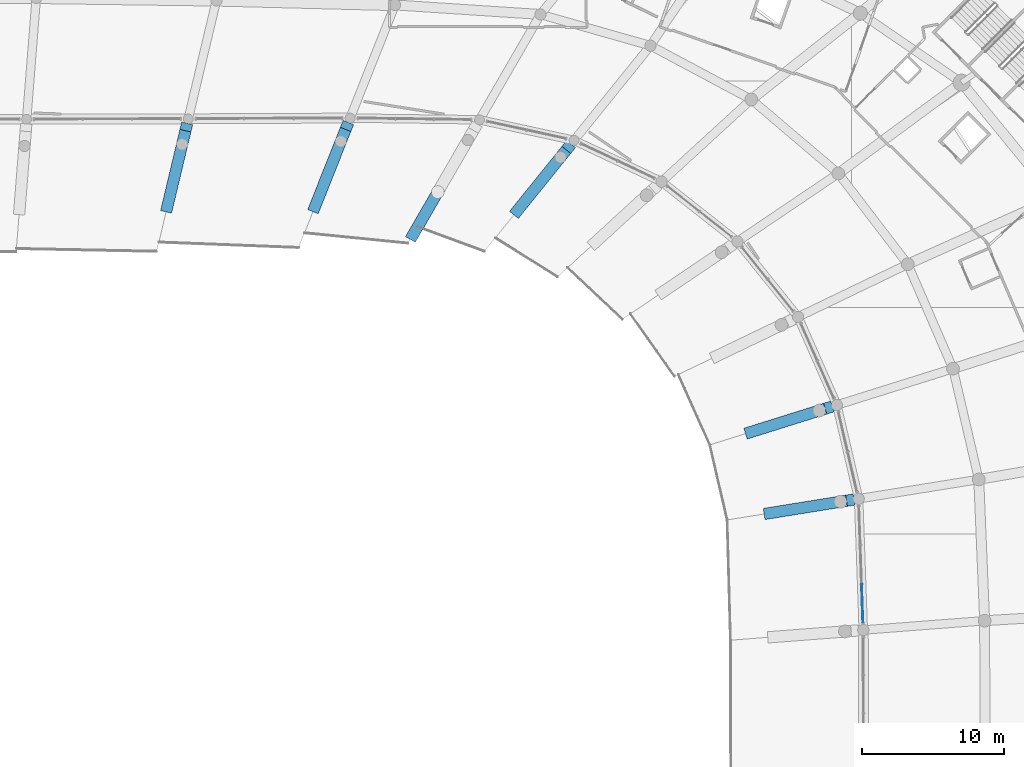
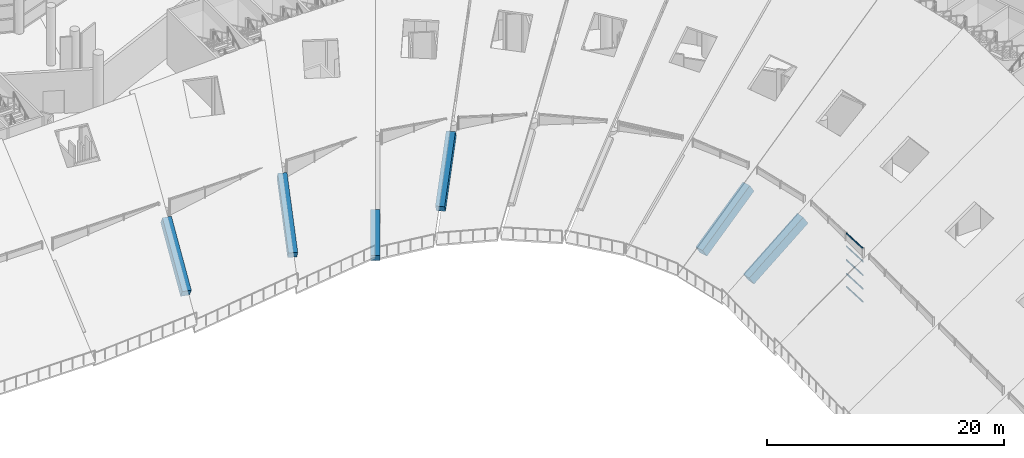
# One storey, part 77 of 249: 6 beams, 5 members, 1 element without a shape of its own.
"""IFC4 building model written with IfcOpenShell, lengths in metres."""

from ifc_helpers import new_model, si_unit, direction, frame, origin, origin_2d, place, context, subcontext, project, spatial, rectangle, extrude, material, layer, layer_set, material_profile, profile_set, type_object, element, aggregate, save


model = new_model("IFC4")

# Units and contexts
model_context = context("Model", 3, precision=1e-05, world=origin(), true_north=direction((0.0, 1.0)))
body_context = subcontext(model_context, "Body", "Model", "MODEL_VIEW")
ifc_project = project(units=[si_unit("LENGTHUNIT", "METRE"), si_unit("AREAUNIT", "SQUARE_METRE"), si_unit("VOLUMEUNIT", "CUBIC_METRE"), si_unit("PLANEANGLEUNIT", "RADIAN"), si_unit("MASSUNIT", "GRAM", prefix="KILO")], contexts=[model_context])

# Site, building, storey
site_placement = place(None, origin())
site = spatial("IfcSite", under=ifc_project, at=site_placement, CompositionType="ELEMENT")
building_placement = place(site_placement, origin())
building = spatial("IfcBuilding", under=site, at=building_placement, Name="Meseta Stadium", CompositionType="ELEMENT")
storey_placement = place(building_placement, frame((0.0, 0.0, 12.0)))
storey = spatial("IfcBuildingStorey", under=building, at=storey_placement, Name="L02", CompositionType="ELEMENT", Elevation=12.0)

# Curtain wall, members
ifc_material_1 = material(Name="Aluminium", Category="aluminium")
ifc_layer = layer(ifc_material_1, 0.199951171875)
ifc_layer_set = layer_set([ifc_layer], Name="Suite glazing curtain wall")
curtain_wall_type = type_object("IfcCurtainWallType", Name="Suite glazing curtain wall", PredefinedType="NOTDEFINED", material=ifc_layer_set)
curtain_wall_placement = place(storey_placement, origin())
curtain_wall = element("IfcCurtainWall", 1, at=curtain_wall_placement, inside=storey, type_object=curtain_wall_type, Name="Suite glazing bay 08", PredefinedType="NOTDEFINED")
ifc_material_2 = material(Name="Aluminium", Category="aluminium")
ifc_material_profile_1 = material_profile(ifc_material_2, rectangle(XDim=0.06005859375, YDim=0.14990234375, at=origin_2d()), Name="CW 60x150")
ifc_profile_set_1 = profile_set([ifc_material_profile_1], Name="Aluminium")
member_type = type_object("IfcMemberType", Name="CW transom 60x150", PredefinedType="USERDEFINED", material=ifc_profile_set_1)
member_1_placement = place(storey_placement, frame((64.810791015625, 41.742919921875, 0.074951171875), z_axis=(-0.035392960757, 0.999373472896, 0.0), x_axis=(-0.999373472896, -0.035392960757, 0.0)))
member_1 = element("IfcMember", 2, at=member_1_placement, type_object=member_type, Name="CWS transom 1.1", ObjectType="TRANSOM", PredefinedType="USERDEFINED", context=body_context, shape_type="SweptSolid", body=[
    extrude(rectangle(XDim=0.06005859375, YDim=0.14990234375, at=origin_2d()), origin(), (0.0, 0.0, 1.0), 2.683349609375),
])
member_2_placement = place(storey_placement, frame((64.810791015625, 41.742919921875, 1.41259765625), z_axis=(-0.035392960757, 0.999373472896, 0.0), x_axis=(-0.999373472896, -0.035392960757, 0.0)))
member_2 = element("IfcMember", 3, at=member_2_placement, type_object=member_type, Name="CWS transom 1.2", ObjectType="TRANSOM", PredefinedType="USERDEFINED", context=body_context, shape_type="SweptSolid", body=[
    extrude(rectangle(XDim=0.06005859375, YDim=0.14990234375, at=origin_2d()), origin(), (0.0, 0.0, 1.0), 2.683349609375),
])
member_3_placement = place(storey_placement, frame((64.810791015625, 41.742919921875, 2.824951171875), z_axis=(-0.035392960757, 0.999373472896, 0.0), x_axis=(-0.999373472896, -0.035392960757, 0.0)))
member_3 = element("IfcMember", 4, at=member_3_placement, type_object=member_type, Name="CWS transom 1.3", ObjectType="TRANSOM", PredefinedType="USERDEFINED", context=body_context, shape_type="SweptSolid", body=[
    extrude(rectangle(XDim=0.06005859375, YDim=0.14990234375, at=origin_2d()), origin(), (0.0, 0.0, 1.0), 2.683349609375),
])
member_4_placement = place(storey_placement, frame((64.810791015625, 41.742919921875, 4.237548828125), z_axis=(-0.035392960757, 0.999373472896, 0.0), x_axis=(-0.999373472896, -0.035392960757, 0.0)))
member_4 = element("IfcMember", 5, at=member_4_placement, type_object=member_type, Name="CWS transom 1.4", ObjectType="TRANSOM", PredefinedType="USERDEFINED", context=body_context, shape_type="SweptSolid", body=[
    extrude(rectangle(XDim=0.06005859375, YDim=0.14990234375, at=origin_2d()), origin(), (0.0, 0.0, 1.0), 2.683349609375),
])
member_5_placement = place(storey_placement, frame((64.810791015625, 41.742919921875, 5.574951171875), z_axis=(-0.035392960757, 0.999373472896, 0.0), x_axis=(-0.999373472896, -0.035392960757, 0.0)))
member_5 = element("IfcMember", 6, at=member_5_placement, type_object=member_type, Name="CWS transom 1.5", ObjectType="TRANSOM", PredefinedType="USERDEFINED", context=body_context, shape_type="SweptSolid", body=[
    extrude(rectangle(XDim=0.06005859375, YDim=0.14990234375, at=origin_2d()), origin(), (0.0, 0.0, 1.0), 2.683349609375),
])
aggregate(curtain_wall, [member_1, member_2, member_3, member_4, member_5])

# Beams
ifc_material_3 = material(Name="Concrete C40/50", Category="concrete")
ifc_material_profile_2 = material_profile(ifc_material_3, rectangle(XDim=0.800048828125, YDim=1.0, at=origin_2d()), Name="RC 800x1000")
ifc_profile_set_2 = profile_set([ifc_material_profile_2], Name="Concrete C40/50")
beam_type = type_object("IfcBeamType", Name="RC raker upper front 800x1000", PredefinedType="USERDEFINED", material=ifc_profile_set_2)
beam_1_placement = place(storey_placement, frame((58.084228515625, 49.4462890625, 0.111083984375), z_axis=(0.837415099284, 0.134848435033, 0.529671455773), x_axis=(-0.158981342824, 0.987281587306, 0.0)))
element("IfcBeam", 7, at=beam_1_placement, inside=storey, type_object=beam_type, Name="Raker upper front frame 9 upper tier", ObjectType="RAKER", PredefinedType="USERDEFINED", context=body_context, shape_type="SweptSolid", body=[
    extrude(rectangle(XDim=0.800048828125, YDim=1.0, at=origin_2d()), origin(), (0.0, 0.0, 1.0), 6.955810546875),
])
beam_2_placement = place(storey_placement, frame((56.76123046875, 55.159912109375, -0.055419921875), z_axis=(0.809742926729, 0.253843522, 0.529036727411), x_axis=(-0.299132503643, 0.95421158307, 0.0)))
element("IfcBeam", 8, at=beam_2_placement, inside=storey, type_object=beam_type, Name="Raker upper front frame 10 upper tier", ObjectType="RAKER", PredefinedType="USERDEFINED", context=body_context, shape_type="SweptSolid", body=[
    extrude(rectangle(XDim=0.800048828125, YDim=1.0, at=origin_2d()), origin(), (0.0, 0.0, 1.0), 6.95263671875),
])
beam_3_placement = place(storey_placement, frame((40.307861328125, 70.748291015625, 0.67724609375), z_axis=(0.532988904175, 0.660432847856, 0.528915193107), x_axis=(-0.778193176557, 0.628024983548, 0.0)))
element("IfcBeam", 9, at=beam_3_placement, inside=storey, type_object=beam_type, Name="Raker upper front frame 14 upper tier", ObjectType="RAKER", PredefinedType="USERDEFINED", context=body_context, shape_type="SweptSolid", body=[
    extrude(rectangle(XDim=0.800048828125, YDim=1.0, at=origin_2d()), origin(), (0.0, 0.0, 1.0), 6.951904296875),
])
beam_4_placement = place(storey_placement, frame((32.95751953125, 69.036865234375, -0.78564453125), z_axis=(0.424691026962, 0.734670627064, 0.529052550647), x_axis=(-0.865755474215, 0.500467240553, 0.0)))
element("IfcBeam", 10, at=beam_4_placement, inside=storey, type_object=beam_type, Name="Raker upper front frame 15 upper tier", ObjectType="RAKER", PredefinedType="USERDEFINED", context=body_context, shape_type="SweptSolid", body=[
    extrude(rectangle(XDim=0.800048828125, YDim=1.0, at=origin_2d()), origin(), (0.0, 0.0, 1.0), 4.245849609375),
])
beam_5_placement = place(storey_placement, frame((26.03759765625, 71.014404296875, 0.74462890625), z_axis=(0.312985842876, 0.788744206684, 0.529076968486), x_axis=(-0.929493898805, 0.368837487363, 0.0)))
element("IfcBeam", 11, at=beam_5_placement, inside=storey, type_object=beam_type, Name="Raker upper front frame 16 upper tier", ObjectType="RAKER", PredefinedType="USERDEFINED", context=body_context, shape_type="SweptSolid", body=[
    extrude(rectangle(XDim=0.800048828125, YDim=1.0, at=origin_2d()), origin(), (0.0, 0.0, 1.0), 7.367431640625),
])
beam_6_placement = place(storey_placement, frame((15.62109375, 71.0087890625, 0.43505859375), z_axis=(0.196594877841, 0.825607178127, 0.528888685294), x_axis=(-0.972800442507, 0.231644769116, 0.0)))
element("IfcBeam", 12, at=beam_6_placement, inside=storey, type_object=beam_type, Name="Raker upper front frame 17 upper tier", ObjectType="RAKER", PredefinedType="USERDEFINED", context=body_context, shape_type="SweptSolid", body=[
    extrude(rectangle(XDim=0.800048828125, YDim=1.0, at=origin_2d()), origin(), (0.0, 0.0, 1.0), 6.951904296875),
])

save(model, "model.ifc")
